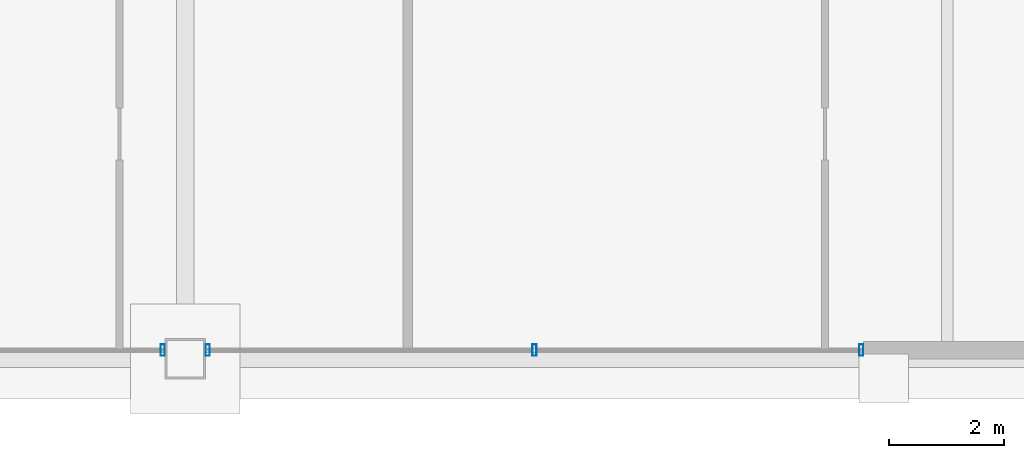
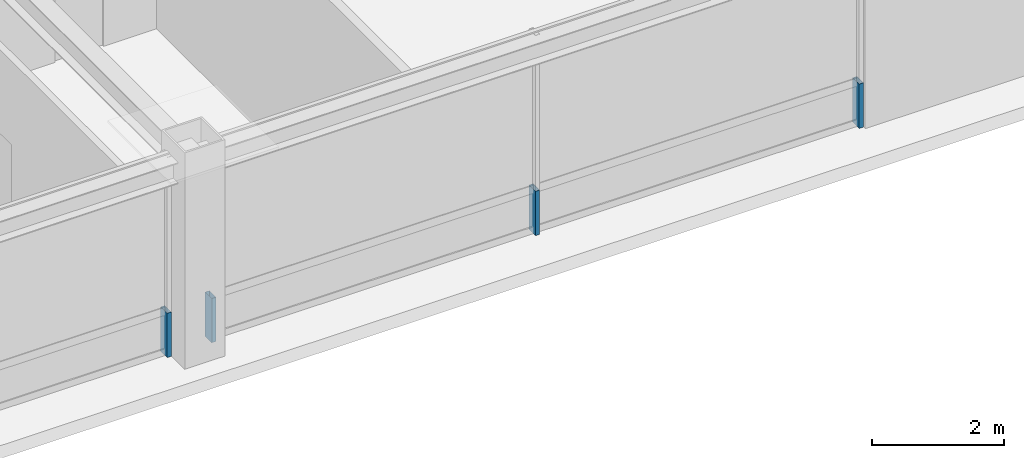
# One storey, part 23 of 34: 4 members, 2 elements without a shape of their own.
"""IFC4 building model written with IfcOpenShell, lengths in metres."""

from ifc_helpers import new_model, si_unit, direction, frame, origin, origin_2d, place, context, subcontext, project, spatial, hollow_rectangle, extrude, source, transform, mapped, material, layer, layer_set, material_profile, profile_set, type_object, element, aggregate, save


model = new_model("IFC4")

# Units and contexts
model_context = context("Model", 3, precision=1e-05, world=origin(), true_north=direction((0.0, 1.0)))
body_context = subcontext(model_context, "Body", "Model", "MODEL_VIEW")
ifc_project = project(units=[si_unit("LENGTHUNIT", "METRE"), si_unit("AREAUNIT", "SQUARE_METRE"), si_unit("VOLUMEUNIT", "CUBIC_METRE"), si_unit("PLANEANGLEUNIT", "RADIAN"), si_unit("MASSUNIT", "GRAM", prefix="KILO"), si_unit("THERMODYNAMICTEMPERATUREUNIT", "KELVIN"), si_unit("POWERUNIT", "WATT")], contexts=[model_context])

# Site, building, storey
site_placement = place(None, origin())
site = spatial("IfcSite", under=ifc_project, at=site_placement, CompositionType="ELEMENT")
building_placement = place(site_placement, origin())
building = spatial("IfcBuilding", under=site, at=building_placement, Name="Yuzanri Waterfront Tower", CompositionType="ELEMENT")
storey_placement = place(building_placement, frame((0.0, 0.0, 347.199951171875)))
storey = spatial("IfcBuildingStorey", under=building, at=storey_placement, Name="L93", CompositionType="ELEMENT", Elevation=347.199951171875)

# Curtain wall, member
ifc_material_1 = material(Name="Anodized Architectural Bronze", Category="metal")
ifc_layer = layer(ifc_material_1, 0.159912109375)
ifc_layer_set = layer_set([ifc_layer], Name="Anodized Architectural Bronze")
curtain_wall_type = type_object("IfcCurtainWallType", Name="Anodized Bronze High-Rise Penthouse High-Wind Unitized Curtain Wall 6900", PredefinedType="NOTDEFINED", material=ifc_layer_set)
curtain_wall_1_placement = place(storey_placement, origin())
curtain_wall_1 = element("IfcCurtainWall", 1, at=curtain_wall_1_placement, inside=storey, type_object=curtain_wall_type, Name="L93 Curtain Wall CW-L93-SL", PredefinedType="NOTDEFINED")
ifc_material_2 = material(Name="Anodized Architectural Bronze", Category="metal")
ifc_material_profile = material_profile(ifc_material_2, hollow_rectangle(XDim=0.074951171875, YDim=0.199951171875, WallThickness=0.00390625, at=origin_2d()), Name="CWM 75x200")
ifc_profile_set = profile_set([ifc_material_profile], Name="Anodized Architectural Bronze")
member_type = type_object("IfcMemberType", Name="Anodized Bronze Primary Curtain-Wall Mullion 75x200", PredefinedType="MULLION", material=ifc_profile_set)
shared_shape = source(origin(), body_context, "Body", "SweptSolid", [
    extrude(hollow_rectangle(XDim=0.074951171875, YDim=0.199951171875, WallThickness=0.00390625, at=origin_2d()), origin(), (0.0, 0.0, 1.0), 0.818115234375),
])
member_1_placement = place(storey_placement, frame((36.610107421875, 6.85009765625, 0.0), z_axis=(0.0, 0.0, 1.0), x_axis=(1.0, 0.0, 0.0)))
member_1 = element("IfcMember", 2, at=member_1_placement, type_object=member_type, Name="CW-L93-SL Lower Mullion 02", PredefinedType="MULLION", context=body_context, shape_type="MappedRepresentation", body=[
    mapped(shared_shape, transform((0.0, 0.0, 0.0), scale=1.0)),
])
aggregate(curtain_wall_1, [member_1])

# Curtain wall, members
curtain_wall_2_placement = place(storey_placement, origin())
curtain_wall_2 = element("IfcCurtainWall", 3, at=curtain_wall_2_placement, inside=storey, type_object=curtain_wall_type, Name="L93 Curtain Wall CW-L93-SR", PredefinedType="NOTDEFINED")
member_2_placement = place(storey_placement, frame((37.389892578125, 6.85009765625, 0.0), z_axis=(0.0, 0.0, 1.0), x_axis=(1.0, 0.0, 0.0)))
member_2 = element("IfcMember", 4, at=member_2_placement, type_object=member_type, Name="CW-L93-SR Lower Mullion 00", PredefinedType="MULLION", context=body_context, shape_type="MappedRepresentation", body=[
    mapped(shared_shape, transform((0.0, 0.0, 0.0), scale=1.0)),
])
member_3_placement = place(storey_placement, frame((43.050048828125, 6.85009765625, 0.0), z_axis=(0.0, 0.0, 1.0), x_axis=(1.0, 0.0, 0.0)))
member_3 = element("IfcMember", 5, at=member_3_placement, type_object=member_type, Name="CW-L93-SR Lower Mullion 01", PredefinedType="MULLION", context=body_context, shape_type="MappedRepresentation", body=[
    mapped(shared_shape, transform((0.0, 0.0, 0.0), scale=1.0)),
])
member_4_placement = place(storey_placement, frame((48.7099609375, 6.85009765625, 0.0), z_axis=(0.0, 0.0, 1.0), x_axis=(1.0, 0.0, 0.0)))
member_4 = element("IfcMember", 6, at=member_4_placement, type_object=member_type, Name="CW-L93-SR Lower Mullion 02", PredefinedType="MULLION", context=body_context, shape_type="MappedRepresentation", body=[
    mapped(shared_shape, transform((0.0, 0.0, 0.0), scale=1.0)),
])
aggregate(curtain_wall_2, [member_2, member_3, member_4])

save(model, "model.ifc")
